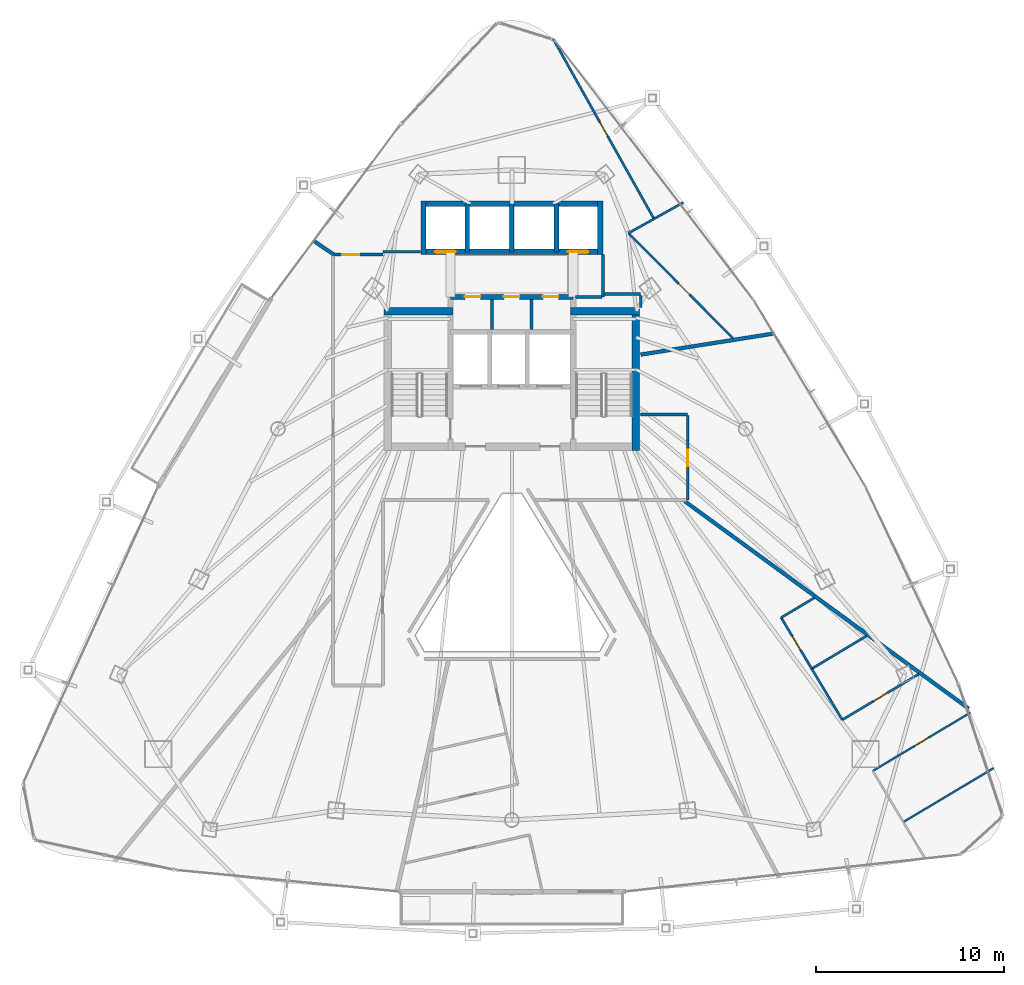
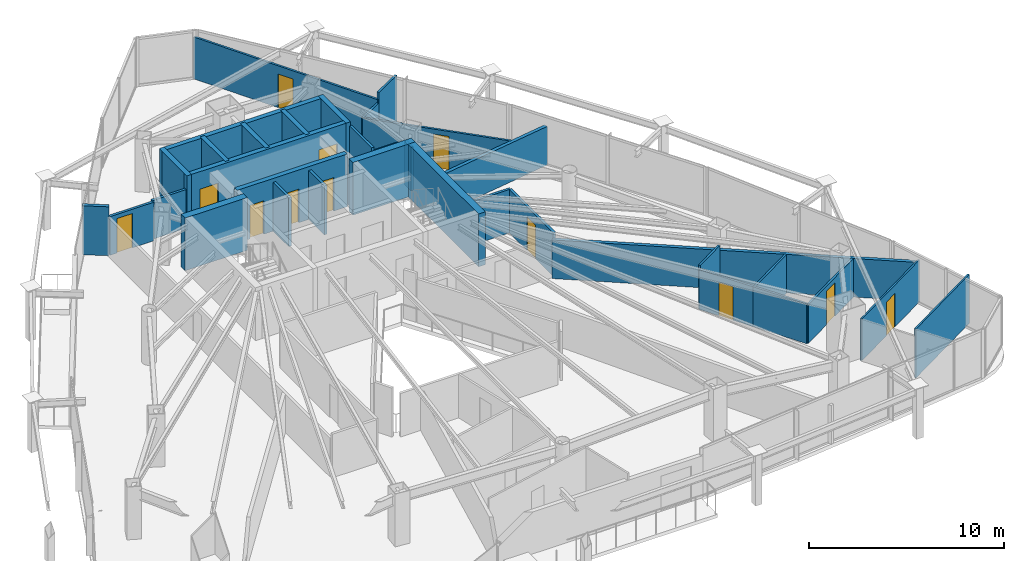
# One storey, part 29 of 33: 35 walls, 12 doors, 12 openings.
"""IFC4 building model written with IfcOpenShell, lengths in metres."""

from ifc_helpers import new_model, si_unit, direction, frame, frame_2d, origin, place, context, subcontext, project, spatial, rectangle, extrude, material, layer, layer_set, type_object, element, fill, save


model = new_model("IFC4")

# Units and contexts
model_context = context("Model", 3, precision=1e-05, world=origin(), true_north=direction((0.0, 1.0)))
body_context = subcontext(model_context, "Body", "Model", "MODEL_VIEW")
ifc_project = project(units=[si_unit("LENGTHUNIT", "METRE"), si_unit("AREAUNIT", "SQUARE_METRE"), si_unit("VOLUMEUNIT", "CUBIC_METRE"), si_unit("PLANEANGLEUNIT", "RADIAN"), si_unit("MASSUNIT", "GRAM", prefix="KILO")], contexts=[model_context])

# Site, building, storey
site_placement = place(None, origin())
site = spatial("IfcSite", under=ifc_project, at=site_placement, CompositionType="ELEMENT")
building_placement = place(site_placement, origin())
building = spatial("IfcBuilding", under=site, at=building_placement, Name="Orvanel Arch Residences", CompositionType="ELEMENT")
storey_placement = place(building_placement, frame((0.0, 0.0, 123.199951171875)))
storey = spatial("IfcBuildingStorey", under=building, at=storey_placement, Name="L34", CompositionType="ELEMENT", Elevation=123.199951171875)

# Walls
ifc_material_1 = material(Name="Concrete N50 (50 MPa)", Category="concrete")
ifc_layer_1 = layer(ifc_material_1, 0.25)
ifc_layer_set_1 = layer_set([ifc_layer_1], Name="Concrete N50 (50 MPa)")
wall_type_1 = type_object("IfcWallType", Name="SW-CORE-250", PredefinedType="SHEAR", material=ifc_layer_set_1)
for number, where, z_axis, x_axis, name in (
    (1, (30.625, 37.050048828125, 0.0), (0.0, 0.0, 1.0), (0.0, 1.0, 0.0), "L34 Passenger Lift Inter-Shaft Wall P35"),
    (2, (33.0, 37.050048828125, 0.0), (0.0, 0.0, 1.0), (0.0, 1.0, 0.0), "L34 Passenger Lift Inter-Shaft Wall P56"),
    (3, (35.375, 37.050048828125, 0.0), (0.0, 0.0, 1.0), (0.0, 1.0, 0.0), "L34 Passenger Lift Inter-Shaft Wall P64"),
):
    element("IfcWall", number, at=place(storey_placement, frame(where, z_axis=z_axis, x_axis=x_axis)), inside=storey, type_object=wall_type_1, Name=name, PredefinedType="SHEAR", context=body_context, shape_type="SweptSolid", body=[
        extrude(rectangle(XDim=2.550048828125, YDim=0.25, at=frame_2d((1.27490234375, 0.0))), origin(), (0.0, 0.0, 1.0), 3.300048828125),
    ])

# Wall, openings, doors
ifc_material_2 = material(Name="Concrete S65 (65 MPa)", Category="concrete")
ifc_layer_2 = layer(ifc_material_2, 0.280029296875)
ifc_layer_set_2 = layer_set([ifc_layer_2], Name="Concrete S65 (65 MPa)")
wall_type_2 = type_object("IfcWallType", Name="SW-CORE-280", PredefinedType="SHEAR", material=ifc_layer_set_2)
wall_1_placement = place(storey_placement, frame((29.739990234375, 34.64990234375, 0.0), z_axis=(0.0, 0.0, 1.0), x_axis=(1.0, 0.0, 0.0)))
wall_1 = element("IfcWall", 4, at=wall_1_placement, inside=storey, type_object=wall_type_2, Name="L34 Core Service Band North Shear Wall", PredefinedType="SHEAR", context=body_context, shape_type="SweptSolid", body=[
    extrude(rectangle(XDim=6.52001953125, YDim=0.280029296875, at=frame_2d((3.260009765625, 0.0))), origin(), (0.0, 0.0, 1.0), 3.300048828125),
])
opening_1_placement = place(wall_1_placement, frame((0.764892578125, 0.0, 0.0)))
opening_1 = element("IfcOpeningElement", 5, at=opening_1_placement, cuts=wall_1, Name="Opening DS-082", PredefinedType="OPENING", context=body_context, shape_type="SweptSolid", body=[
    extrude(rectangle(XDim=0.820068359375, YDim=2.10009765625, at=frame_2d((0.41015625, 1.050048828125))), frame((0.0, 0.14990234375, 0.0), z_axis=(0.0, -1.0, 0.0), x_axis=(1.0, 0.0, 0.0)), (0.0, 0.0, 1.0), 0.300048828125),
])
opening_2_placement = place(wall_1_placement, frame((2.840087890625, 0.0, 0.0)))
opening_2 = element("IfcOpeningElement", 6, at=opening_2_placement, cuts=wall_1, Name="Opening DS-082", PredefinedType="OPENING", context=body_context, shape_type="SweptSolid", body=[
    extrude(rectangle(XDim=0.820068359375, YDim=2.10009765625, at=frame_2d((0.41015625, 1.050048828125))), frame((0.0, 0.14990234375, 0.0), z_axis=(0.0, -1.0, 0.0), x_axis=(1.0, 0.0, 0.0)), (0.0, 0.0, 1.0), 0.300048828125),
])
opening_3_placement = place(wall_1_placement, frame((4.9150390625, 0.0, 0.0)))
opening_3 = element("IfcOpeningElement", 7, at=opening_3_placement, cuts=wall_1, Name="Opening DS-082", PredefinedType="OPENING", context=body_context, shape_type="SweptSolid", body=[
    extrude(rectangle(XDim=0.820068359375, YDim=2.10009765625, at=frame_2d((0.41015625, 1.050048828125))), frame((0.0, 0.14990234375, 0.0), z_axis=(0.0, -1.0, 0.0), x_axis=(1.0, 0.0, 0.0)), (0.0, 0.0, 1.0), 0.300048828125),
])
ifc_material_3 = material(Name="Galvanised steel fire-resisting door assembly", Category="steel")
door_type_1 = type_object("IfcDoorType", Name="DR-SVC-820", OperationType="NOTDEFINED", PredefinedType="DOOR", material=ifc_material_3)
door_1_placement = place(opening_1_placement, origin())
door_1 = element("IfcDoor", 8, at=door_1_placement, inside=storey, type_object=door_type_1, Name="DR-L34-CSVC-1 L34 Housekeeping Store Door", OperationType="SINGLE_SWING_LEFT", OverallHeight=2.10009765625, OverallWidth=0.820068359375, PredefinedType="DOOR", context=body_context, shape_type="SweptSolid", body=[
    extrude(rectangle(XDim=0.820068359375, YDim=2.10009765625, at=frame_2d((0.41015625, 1.050048828125))), frame((0.0, 0.02490234375, 0.0), z_axis=(0.0, -1.0, 0.0), x_axis=(1.0, 0.0, 0.0)), (0.0, 0.0, 1.0), 0.050048828125),
])
fill(opening_1, door_1)
door_2_placement = place(opening_2_placement, origin())
door_2 = element("IfcDoor", 9, at=door_2_placement, inside=storey, type_object=door_type_1, Name="DR-L34-CSVC-2 L34 Cleaner's Store Door", OperationType="SINGLE_SWING_LEFT", OverallHeight=2.10009765625, OverallWidth=0.820068359375, PredefinedType="DOOR", context=body_context, shape_type="SweptSolid", body=[
    extrude(rectangle(XDim=0.820068359375, YDim=2.10009765625, at=frame_2d((0.41015625, 1.050048828125))), frame((0.0, 0.02490234375, 0.0), z_axis=(0.0, -1.0, 0.0), x_axis=(1.0, 0.0, 0.0)), (0.0, 0.0, 1.0), 0.050048828125),
])
fill(opening_2, door_2)
door_3_placement = place(opening_3_placement, origin())
door_3 = element("IfcDoor", 10, at=door_3_placement, inside=storey, type_object=door_type_1, Name="DR-L34-CSVC-3 L34 Comms Riser Store Door", OperationType="SINGLE_SWING_LEFT", OverallHeight=2.10009765625, OverallWidth=0.820068359375, PredefinedType="DOOR", context=body_context, shape_type="SweptSolid", body=[
    extrude(rectangle(XDim=0.820068359375, YDim=2.10009765625, at=frame_2d((0.41015625, 1.050048828125))), frame((0.0, 0.02490234375, 0.0), z_axis=(0.0, -1.0, 0.0), x_axis=(1.0, 0.0, 0.0)), (0.0, 0.0, 1.0), 0.050048828125),
])
fill(opening_3, door_3)

wall_2_placement = place(storey_placement, frame((37.840087890625, 37.050048828125, 0.0), z_axis=(0.0, 0.0, 1.0), x_axis=(-1.0, 0.0, 0.0)))
wall_2 = element("IfcWall", 11, at=wall_2_placement, inside=storey, type_object=wall_type_2, Name="L34 Passenger Lift Bank Front Shear Wall", PredefinedType="SHEAR", context=body_context, shape_type="SweptSolid", body=[
    extrude(rectangle(XDim=9.68017578125, YDim=0.280029296875, at=frame_2d((4.840087890625, 0.0))), origin(), (0.0, 0.0, 1.0), 3.300048828125),
])
opening_4_placement = place(wall_2_placement, frame((7.81494140625, 0.0, 0.0)))
opening_4 = element("IfcOpeningElement", 12, at=opening_4_placement, cuts=wall_2, Name="Opening LD-110", PredefinedType="OPENING", context=body_context, shape_type="SweptSolid", body=[
    extrude(rectangle(XDim=1.10009765625, YDim=2.199951171875, at=frame_2d((0.550048828125, 1.10009765625))), frame((0.0, 0.14990234375, 0.0), z_axis=(0.0, -1.0, 0.0), x_axis=(1.0, 0.0, 0.0)), (0.0, 0.0, 1.0), 0.300048828125),
])
opening_5_placement = place(wall_2_placement, frame((0.764892578125, 0.0, 0.0)))
opening_5 = element("IfcOpeningElement", 13, at=opening_5_placement, cuts=wall_2, Name="Opening LD-110", PredefinedType="OPENING", context=body_context, shape_type="SweptSolid", body=[
    extrude(rectangle(XDim=1.10009765625, YDim=2.199951171875, at=frame_2d((0.550048828125, 1.10009765625))), frame((0.0, 0.14990234375, 0.0), z_axis=(0.0, -1.0, 0.0), x_axis=(1.0, 0.0, 0.0)), (0.0, 0.0, 1.0), 0.300048828125),
])
door_type_2 = type_object("IfcDoorType", Name="DR-LFT-1100", OperationType="NOTDEFINED", PredefinedType="DOOR", material=ifc_material_3)
door_4_placement = place(opening_4_placement, origin())
door_4 = element("IfcDoor", 14, at=door_4_placement, inside=storey, type_object=door_type_2, Name="LD-P3-L34 L34 Passenger Lift P3 Sliding Landing Door", OperationType="DOUBLE_DOOR_SLIDING", OverallHeight=2.199951171875, OverallWidth=1.10009765625, PredefinedType="DOOR", context=body_context, shape_type="SweptSolid", body=[
    extrude(rectangle(XDim=1.10009765625, YDim=2.199951171875, at=frame_2d((0.550048828125, 1.10009765625))), frame((0.0, 0.02490234375, 0.0), z_axis=(0.0, -1.0, 0.0), x_axis=(1.0, 0.0, 0.0)), (0.0, 0.0, 1.0), 0.050048828125),
])
fill(opening_4, door_4)
door_5_placement = place(opening_5_placement, origin())
door_5 = element("IfcDoor", 15, at=door_5_placement, inside=storey, type_object=door_type_2, Name="LD-P4-L34 L34 Passenger Lift P4 Sliding Landing Door", OperationType="DOUBLE_DOOR_SLIDING", OverallHeight=2.199951171875, OverallWidth=1.10009765625, PredefinedType="DOOR", context=body_context, shape_type="SweptSolid", body=[
    extrude(rectangle(XDim=1.10009765625, YDim=2.199951171875, at=frame_2d((0.550048828125, 1.10009765625))), frame((0.0, 0.02490234375, 0.0), z_axis=(0.0, -1.0, 0.0), x_axis=(1.0, 0.0, 0.0)), (0.0, 0.0, 1.0), 0.050048828125),
])
fill(opening_5, door_5)

# Walls
wall_3_placement = place(storey_placement, frame((28.159912109375, 39.60009765625, 0.0), z_axis=(0.0, 0.0, 1.0), x_axis=(1.0, 0.0, 0.0)))
element("IfcWall", 16, at=wall_3_placement, inside=storey, type_object=wall_type_2, Name="L34 Passenger Lift Bank North Shear Wall", PredefinedType="SHEAR", context=body_context, shape_type="SweptSolid", body=[
    extrude(rectangle(XDim=9.68017578125, YDim=0.280029296875, at=frame_2d((4.840087890625, 0.0))), origin(), (0.0, 0.0, 1.0), 3.300048828125),
])
for number, where, z_axis, x_axis, name in (
    (17, (28.300048828125, 36.909912109375, 0.0), (0.0, 0.0, 1.0), (0.0, 1.0, 0.0), "L34 Passenger Lift Bank West Shear Wall"),
    (18, (37.699951171875, 36.909912109375, 0.0), (0.0, 0.0, 1.0), (0.0, 1.0, 0.0), "L34 Passenger Lift Bank East Shear Wall"),
):
    element("IfcWall", number, at=place(storey_placement, frame(where, z_axis=z_axis, x_axis=x_axis)), inside=storey, type_object=wall_type_2, Name=name, PredefinedType="SHEAR", context=body_context, shape_type="SweptSolid", body=[
        extrude(rectangle(XDim=2.830078125, YDim=0.280029296875, at=frame_2d((1.4150390625, 0.0))), origin(), (0.0, 0.0, 1.0), 3.300048828125),
    ])
ifc_layer_3 = layer(ifc_material_2, 0.39990234375)
ifc_layer_set_3 = layer_set([ifc_layer_3], Name="Concrete S65 (65 MPa)")
wall_type_3 = type_object("IfcWallType", Name="SW-CORE-400", PredefinedType="SHEAR", material=ifc_layer_set_3)
wall_4_placement = place(storey_placement, frame((26.199951171875, 33.89990234375, 0.0), z_axis=(0.0, 0.0, 1.0), x_axis=(1.0, 0.0, 0.0)))
element("IfcWall", 19, at=wall_4_placement, inside=storey, type_object=wall_type_3, Name="L34 West Stair North Shear Wall", PredefinedType="SHEAR", context=body_context, shape_type="SweptSolid", body=[
    extrude(rectangle(XDim=3.679931640625, YDim=0.39990234375, at=frame_2d((1.83984375, 0.0))), origin(), (0.0, 0.0, 1.0), 3.300048828125),
])
wall_5_placement = place(storey_placement, frame((39.60009765625, 26.5, 0.0), z_axis=(0.0, 0.0, 1.0), x_axis=(0.0, 1.0, 0.0)))
element("IfcWall", 20, at=wall_5_placement, inside=storey, type_object=wall_type_3, Name="L34 East Stair Shear Wall", PredefinedType="SHEAR", context=body_context, shape_type="SweptSolid", body=[
    extrude(rectangle(XDim=7.60009765625, YDim=0.39990234375, at=frame_2d((3.800048828125, 0.0))), origin(), (0.0, 0.0, 1.0), 3.300048828125),
])
wall_6_placement = place(storey_placement, frame((36.1201171875, 33.89990234375, 0.0), z_axis=(0.0, 0.0, 1.0), x_axis=(1.0, 0.0, 0.0)))
element("IfcWall", 21, at=wall_6_placement, inside=storey, type_object=wall_type_3, Name="L34 East Stair North Shear Wall", PredefinedType="SHEAR", context=body_context, shape_type="SweptSolid", body=[
    extrude(rectangle(XDim=3.679931640625, YDim=0.39990234375, at=frame_2d((1.83984375, 0.0))), origin(), (0.0, 0.0, 1.0), 3.300048828125),
])
ifc_material_4 = material(Name="Fire-rated plasterboard lined steel stud partition", Category="steel")
ifc_layer_4 = layer(ifc_material_4, 0.14990234375)
ifc_layer_set_4 = layer_set([ifc_layer_4], Name="Fire-rated plasterboard lined steel stud partition")
wall_type_4 = type_object("IfcWallType", Name="W-COR-150", PredefinedType="PARTITIONING", material=ifc_layer_set_4)
wall_7_placement = place(storey_placement, frame((37.85009765625, 34.64990234375, 0.0), z_axis=(0.0, 0.0, 1.0), x_axis=(0.0, 1.0, 0.0)))
element("IfcWall", 22, at=wall_7_placement, inside=storey, type_object=wall_type_4, Name="L34 Passenger Lift Lobby East Closure Wall", PredefinedType="PARTITIONING", context=body_context, shape_type="SweptSolid", body=[
    extrude(rectangle(XDim=2.260009765625, YDim=0.14990234375, at=frame_2d((1.1298828125, 0.0))), origin(), (0.0, 0.0, 1.0), 3.06005859375),
])
wall_8_placement = place(storey_placement, frame((36.385009765625, 34.64990234375, 0.0), z_axis=(0.0, 0.0, 1.0), x_axis=(1.0, 0.0, 0.0)))
element("IfcWall", 23, at=wall_8_placement, inside=storey, type_object=wall_type_4, Name="L34 Passenger Lift Lobby South-East Wall", PredefinedType="PARTITIONING", context=body_context, shape_type="SweptSolid", body=[
    extrude(rectangle(XDim=1.405029296875, YDim=0.14990234375, at=frame_2d((0.70263671875, 0.0))), origin(), (0.0, 0.0, 1.0), 2.425048828125),
])

# Wall, opening, door
wall_9_placement = place(storey_placement, frame((23.56005859375, 36.89990234375, 0.0), z_axis=(0.0, 0.0, 1.0), x_axis=(1.0, 0.0, 0.0)))
wall_9 = element("IfcWall", 24, at=wall_9_placement, inside=storey, type_object=wall_type_4, Name="L34 Corridor Fire-Rated Partition", PredefinedType="PARTITIONING", context=body_context, shape_type="SweptSolid", body=[
    extrude(rectangle(XDim=2.58984375, YDim=0.14990234375, at=frame_2d((1.294921875, 0.0))), origin(), (0.0, 0.0, 1.0), 2.4130859375),
])
opening_6_placement = place(wall_9_placement, frame((0.4140625, 0.0, 0.0)))
opening_6 = element("IfcOpeningElement", 25, at=opening_6_placement, cuts=wall_9, Name="Opening DA-092", PredefinedType="OPENING", context=body_context, shape_type="SweptSolid", body=[
    extrude(rectangle(XDim=0.919921875, YDim=2.14990234375, at=frame_2d((0.4599609375, 1.074951171875))), frame((0.0, 0.0849609375, 0.0), z_axis=(0.0, -1.0, 0.0), x_axis=(1.0, 0.0, 0.0)), (0.0, 0.0, 1.0), 0.169921875),
])
ifc_material_5 = material(Name="Solid-core European oak veneer fire door leaf", Category="wood")
door_type_3 = type_object("IfcDoorType", Name="DR-APT-920", OperationType="NOTDEFINED", PredefinedType="DOOR", material=ifc_material_5)
door_6_placement = place(opening_6_placement, origin())
door_6 = element("IfcDoor", 26, at=door_6_placement, inside=storey, type_object=door_type_3, Name="DR-L34-E-ENT L34 Studio E Entrance Door", OperationType="SINGLE_SWING_RIGHT", OverallHeight=2.14990234375, OverallWidth=0.919921875, PredefinedType="DOOR", context=body_context, shape_type="SweptSolid", body=[
    extrude(rectangle(XDim=0.919921875, YDim=2.14990234375, at=frame_2d((0.4599609375, 1.074951171875))), frame((0.0, 0.02490234375, 0.0), z_axis=(0.0, -1.0, 0.0), x_axis=(1.0, 0.0, 0.0)), (0.0, 0.0, 1.0), 0.050048828125),
])
fill(opening_6, door_6)

# Wall
wall_10_placement = place(storey_placement, frame((39.85009765625, 28.39990234375, 0.0), z_axis=(0.0, 0.0, 1.0), x_axis=(1.0, 0.0, 0.0)))
element("IfcWall", 27, at=wall_10_placement, inside=storey, type_object=wall_type_4, Name="L34 Corridor Fire-Rated Partition", PredefinedType="PARTITIONING", context=body_context, shape_type="SweptSolid", body=[
    extrude(rectangle(XDim=2.5, YDim=0.14990234375, at=frame_2d((1.25, 0.0))), origin(), (0.0, 0.0, 1.0), 2.720947265625),
])

# Wall, opening, door
wall_11_placement = place(storey_placement, frame((42.35009765625, 28.340087890625, 0.0), z_axis=(0.0, 0.0, 1.0), x_axis=(0.0, -1.0, 0.0)))
wall_11 = element("IfcWall", 28, at=wall_11_placement, inside=storey, type_object=wall_type_4, Name="L34 Corridor Fire-Rated Partition", PredefinedType="PARTITIONING", context=body_context, shape_type="SweptSolid", body=[
    extrude(rectangle(XDim=4.489990234375, YDim=0.14990234375, at=frame_2d((2.2451171875, 0.0))), origin(), (0.0, 0.0, 1.0), 2.720947265625),
])
opening_7_placement = place(wall_11_placement, frame((1.804931640625, 0.0, 0.0)))
opening_7 = element("IfcOpeningElement", 29, at=opening_7_placement, cuts=wall_11, Name="Opening DI-088", PredefinedType="OPENING", context=body_context, shape_type="SweptSolid", body=[
    extrude(rectangle(XDim=0.8798828125, YDim=2.10009765625, at=frame_2d((0.43994140625, 1.050048828125))), frame((0.0, 0.0849609375, 0.0), z_axis=(0.0, -1.0, 0.0), x_axis=(1.0, 0.0, 0.0)), (0.0, 0.0, 1.0), 0.169921875),
])
door_type_4 = type_object("IfcDoorType", Name="DR-INT-880", OperationType="NOTDEFINED", PredefinedType="DOOR", material=ifc_material_5)
door_7_placement = place(opening_7_placement, origin())
door_7 = element("IfcDoor", 30, at=door_7_placement, inside=storey, type_object=door_type_4, Name="DR-L34-SHRD-FB6 L34 Co-Working Study Office F Door", OperationType="SINGLE_SWING_LEFT", OverallHeight=2.10009765625, OverallWidth=0.8798828125, PredefinedType="DOOR", context=body_context, shape_type="SweptSolid", body=[
    extrude(rectangle(XDim=0.8798828125, YDim=2.10009765625, at=frame_2d((0.43994140625, 1.050048828125))), frame((0.0, 0.02490234375, 0.0), z_axis=(0.0, -1.0, 0.0), x_axis=(1.0, 0.0, 0.0)), (0.0, 0.0, 1.0), 0.050048828125),
])
fill(opening_7, door_7)

# Walls
wall_12_placement = place(storey_placement, frame((26.14990234375, 37.050048828125, 0.0), z_axis=(0.0, 0.0, 1.0), x_axis=(1.0, 0.0, 0.0)))
element("IfcWall", 31, at=wall_12_placement, inside=storey, type_object=wall_type_4, Name="L34 Core Perimeter Partition", PredefinedType="PARTITIONING", context=body_context, shape_type="SweptSolid", body=[
    extrude(rectangle(XDim=2.0, YDim=0.14990234375, at=frame_2d((1.0, 0.0))), origin(), (0.0, 0.0, 1.0), 2.4130859375),
])
wall_13_placement = place(storey_placement, frame((37.909912109375, 34.800048828125, 0.0), z_axis=(0.0, 0.0, 1.0), x_axis=(1.0, 0.0, 0.0)))
element("IfcWall", 32, at=wall_13_placement, inside=storey, type_object=wall_type_4, Name="L34 Core Perimeter Partition", PredefinedType="PARTITIONING", context=body_context, shape_type="SweptSolid", body=[
    extrude(rectangle(XDim=1.940185546875, YDim=0.14990234375, at=frame_2d((0.97021484375, 0.0))), origin(), (0.0, 0.0, 1.0), 2.720947265625),
])
wall_14_placement = place(storey_placement, frame((39.85009765625, 34.739990234375, 0.0), z_axis=(0.0, 0.0, 1.0), x_axis=(0.0, -1.0, 0.0)))
element("IfcWall", 33, at=wall_14_placement, inside=storey, type_object=wall_type_4, Name="L34 Core Perimeter Partition", PredefinedType="PARTITIONING", context=body_context, shape_type="SweptSolid", body=[
    extrude(rectangle(XDim=0.639892578125, YDim=0.14990234375, at=frame_2d((0.31982421875, 0.0))), origin(), (0.0, 0.0, 1.0), 2.720947265625),
])
ifc_layer_5 = layer(ifc_material_4, 0.199951171875)
ifc_layer_set_5 = layer_set([ifc_layer_5], Name="Fire-rated plasterboard lined steel stud partition")
wall_type_5 = type_object("IfcWallType", Name="W-DEM-200", PredefinedType="PARTITIONING", material=ifc_layer_set_5)
wall_15_placement = place(storey_placement, frame((22.424072265625, 37.659912109375, 0.0), z_axis=(0.0, 0.0, 1.0), x_axis=(0.82818018374, -0.560461937388, 0.0)))
element("IfcWall", 34, at=wall_15_placement, inside=storey, type_object=wall_type_5, Name="L34 Inter-Tenancy Acoustic Demising Wall", PredefinedType="PARTITIONING", context=body_context, shape_type="SweptSolid", body=[
    extrude(rectangle(XDim=1.35595703125, YDim=0.199951171875, at=frame_2d((0.677978515625, 0.0))), origin(), (0.0, 0.0, 1.0), 3.06005859375),
])
wall_16_placement = place(storey_placement, frame((42.19189453125, 23.7900390625, 0.0), z_axis=(0.0, 0.0, 1.0), x_axis=(0.807710254014, -0.589579634621, 0.0)))
element("IfcWall", 35, at=wall_16_placement, inside=storey, type_object=wall_type_5, Name="L34 Inter-Tenancy Acoustic Demising Wall", PredefinedType="PARTITIONING", context=body_context, shape_type="SweptSolid", body=[
    extrude(rectangle(XDim=18.69140625, YDim=0.199951171875, at=frame_2d((9.345703125, 0.0))), origin(), (0.0, 0.0, 1.0), 2.4130859375),
])
wall_17_placement = place(storey_placement, frame((46.97607421875, 32.714111328125, 0.0), z_axis=(0.0, 0.0, 1.0), x_axis=(-0.987677489662, -0.156502959767, 0.0)))
element("IfcWall", 36, at=wall_17_placement, inside=storey, type_object=wall_type_5, Name="L34 Inter-Tenancy Acoustic Demising Wall", PredefinedType="PARTITIONING", context=body_context, shape_type="SweptSolid", body=[
    extrude(rectangle(XDim=7.21484375, YDim=0.199951171875, at=frame_2d((3.607421875, 0.0))), origin(), (0.0, 0.0, 1.0), 2.4130859375),
])

# Wall, opening, door
ifc_material_6 = material(Name="Acoustic plasterboard lined twin-stud partition", Category="gypsum")
ifc_layer_6 = layer(ifc_material_6, 0.10009765625)
ifc_layer_set_6 = layer_set([ifc_layer_6], Name="Acoustic plasterboard lined twin-stud partition")
wall_type_6 = type_object("IfcWallType", Name="W-INT-100", PredefinedType="PARTITIONING", material=ifc_layer_set_6)
wall_18_placement = place(storey_placement, frame((57.373046875, 12.553955078125, 0.0), z_axis=(0.0, 0.0, 1.0), x_axis=(-0.858379637305, -0.513015007831, 0.0)))
wall_18 = element("IfcWall", 37, at=wall_18_placement, inside=storey, type_object=wall_type_6, Name="L34 Flat B Internal Partition", PredefinedType="PARTITIONING", context=body_context, shape_type="SweptSolid", body=[
    extrude(rectangle(XDim=6.04052734375, YDim=0.10009765625, at=frame_2d((3.020263671875, 0.0))), origin(), (0.0, 0.0, 1.0), 2.619140625),
])
opening_8_placement = place(wall_18_placement, frame((2.580078125, 0.0, 0.0)))
opening_8 = element("IfcOpeningElement", 38, at=opening_8_placement, cuts=wall_18, Name="Opening DI-088", PredefinedType="OPENING", context=body_context, shape_type="SweptSolid", body=[
    extrude(rectangle(XDim=0.8798828125, YDim=2.10009765625, at=frame_2d((0.43994140625, 1.050048828125))), frame((0.0, 0.06005859375, 0.0), z_axis=(0.0, -1.0, 0.0), x_axis=(1.0, 0.0, 0.0)), (0.0, 0.0, 1.0), 0.1201171875),
])
door_8_placement = place(opening_8_placement, origin())
door_8 = element("IfcDoor", 39, at=door_8_placement, inside=storey, type_object=door_type_4, Name="DR-L34-B-BED1 L34 Flat B Bedroom 1 Door", OperationType="SINGLE_SWING_LEFT", OverallHeight=2.10009765625, OverallWidth=0.8798828125, PredefinedType="DOOR", context=body_context, shape_type="SweptSolid", body=[
    extrude(rectangle(XDim=0.8798828125, YDim=2.10009765625, at=frame_2d((0.43994140625, 1.050048828125))), frame((0.0, 0.02490234375, 0.0), z_axis=(0.0, -1.0, 0.0), x_axis=(1.0, 0.0, 0.0)), (0.0, 0.0, 1.0), 0.050048828125),
])
fill(opening_8, door_8)

# Walls
wall_19_placement = place(storey_placement, frame((58.616943359375, 9.610107421875, 0.0), z_axis=(0.0, 0.0, 1.0), x_axis=(-0.858472602363, -0.512859426151, 0.0)))
element("IfcWall", 40, at=wall_19_placement, inside=storey, type_object=wall_type_6, Name="L34 Flat B Internal Partition", PredefinedType="PARTITIONING", context=body_context, shape_type="SweptSolid", body=[
    extrude(rectangle(XDim=5.59814453125, YDim=0.10009765625, at=frame_2d((2.799072265625, 0.0))), origin(), (0.0, 0.0, 1.0), 3.06005859375),
])
ifc_layer_7 = layer(ifc_material_4, 0.14990234375)
ifc_layer_set_7 = layer_set([ifc_layer_7], Name="Fire-rated plasterboard lined steel stud partition")
wall_type_7 = type_object("IfcWallType", Name="W-ST-150", PredefinedType="PARTITIONING", material=ifc_layer_set_7)
for number, where, z_axis, x_axis, name in (
    (41, (31.949951171875, 32.9150390625, 0.0), (0.0, 0.0, 1.0), (0.0, 1.0, 0.0), "L34 Core Service Partition 1"),
    (42, (34.050048828125, 32.9150390625, 0.0), (0.0, 0.0, 1.0), (0.0, 1.0, 0.0), "L34 Core Service Partition 2"),
):
    element("IfcWall", number, at=place(storey_placement, frame(where, z_axis=z_axis, x_axis=x_axis)), inside=storey, type_object=wall_type_7, Name=name, PredefinedType="PARTITIONING", context=body_context, shape_type="SweptSolid", body=[
        extrude(rectangle(XDim=1.60986328125, YDim=0.14990234375, at=frame_2d((0.804931640625, 0.0))), origin(), (0.0, 0.0, 1.0), 3.06005859375),
    ])
ifc_layer_8 = layer(ifc_material_6, 0.1201171875)
ifc_layer_set_8 = layer_set([ifc_layer_8], Name="Acoustic plasterboard lined twin-stud partition")
wall_type_8 = type_object("IfcWallType", Name="W-WET-120", PredefinedType="PARTITIONING", material=ifc_layer_set_8)
wall_20_placement = place(storey_placement, frame((49.080078125, 18.656982421875, 0.0), z_axis=(0.0, 0.0, 1.0), x_axis=(-0.858394155401, -0.51299071529, 0.0)))
element("IfcWall", 43, at=wall_20_placement, inside=storey, type_object=wall_type_8, Name="L34 Flat B Bathroom Partition", PredefinedType="PARTITIONING", context=body_context, shape_type="SweptSolid", body=[
    extrude(rectangle(XDim=2.052734375, YDim=0.1201171875, at=frame_2d((1.0263671875, 0.0))), origin(), (0.0, 0.0, 1.0), 2.720947265625),
])

# Wall, opening, door
wall_21_placement = place(storey_placement, frame((47.318115234375, 17.60400390625, 0.0), z_axis=(0.0, 0.0, 1.0), x_axis=(0.51313361254, -0.858308741469, 0.0)))
wall_21 = element("IfcWall", 44, at=wall_21_placement, inside=storey, type_object=wall_type_8, Name="L34 Flat B Bathroom Partition", PredefinedType="PARTITIONING", context=body_context, shape_type="SweptSolid", body=[
    extrude(rectangle(XDim=3.16455078125, YDim=0.1201171875, at=frame_2d((1.582275390625, 0.0))), origin(), (0.0, 0.0, 1.0), 2.491943359375),
])
opening_9_placement = place(wall_21_placement, frame((1.172119140625, 0.0, 0.0)))
opening_9 = element("IfcOpeningElement", 45, at=opening_9_placement, cuts=wall_21, Name="Opening DW-082", PredefinedType="OPENING", context=body_context, shape_type="SweptSolid", body=[
    extrude(rectangle(XDim=0.820068359375, YDim=2.10009765625, at=frame_2d((0.41015625, 1.050048828125))), frame((0.0, 0.070068359375, 0.0), z_axis=(0.0, -1.0, 0.0), x_axis=(1.0, 0.0, 0.0)), (0.0, 0.0, 1.0), 0.14013671875),
])
door_type_5 = type_object("IfcDoorType", Name="DR-WET-820", OperationType="NOTDEFINED", PredefinedType="DOOR", material=ifc_material_5)
door_9_placement = place(opening_9_placement, origin())
door_9 = element("IfcDoor", 46, at=door_9_placement, inside=storey, type_object=door_type_5, Name="DR-L34-B-BATH L34 Flat B Bathroom Door", OperationType="SINGLE_SWING_RIGHT", OverallHeight=2.10009765625, OverallWidth=0.820068359375, PredefinedType="DOOR", context=body_context, shape_type="SweptSolid", body=[
    extrude(rectangle(XDim=0.820068359375, YDim=2.10009765625, at=frame_2d((0.41015625, 1.050048828125))), frame((0.0, 0.02490234375, 0.0), z_axis=(0.0, -1.0, 0.0), x_axis=(1.0, 0.0, 0.0)), (0.0, 0.0, 1.0), 0.050048828125),
])
fill(opening_9, door_9)

# Wall
wall_22_placement = place(storey_placement, frame((48.94189453125, 14.887939453125, 0.0), z_axis=(0.0, 0.0, 1.0), x_axis=(0.512997049548, -0.858390369911, 0.0)))
element("IfcWall", 47, at=wall_22_placement, inside=storey, type_object=wall_type_8, Name="L34 Flat B Internal Partition", PredefinedType="PARTITIONING", context=body_context, shape_type="SweptSolid", body=[
    extrude(rectangle(XDim=3.163818359375, YDim=0.1201171875, at=frame_2d((1.58203125, 0.0))), origin(), (0.0, 0.0, 1.0), 2.491943359375),
])

# Wall, opening, door
wall_23_placement = place(storey_placement, frame((50.56494140625, 12.172119140625, 0.0), z_axis=(0.0, 0.0, 1.0), x_axis=(0.858473034369, 0.512858703018, 0.0)))
wall_23 = element("IfcWall", 48, at=wall_23_placement, inside=storey, type_object=wall_type_8, Name="L34 Flat B Internal Partition", PredefinedType="PARTITIONING", context=body_context, shape_type="SweptSolid", body=[
    extrude(rectangle(XDim=4.739990234375, YDim=0.1201171875, at=frame_2d((2.3701171875, 0.0))), origin(), (0.0, 0.0, 1.0), 2.4130859375),
])
opening_10_placement = place(wall_23_placement, frame((1.929931640625, 0.0, 0.0)))
opening_10 = element("IfcOpeningElement", 49, at=opening_10_placement, cuts=wall_23, Name="Opening DI-088", PredefinedType="OPENING", context=body_context, shape_type="SweptSolid", body=[
    extrude(rectangle(XDim=0.8798828125, YDim=2.10009765625, at=frame_2d((0.43994140625, 1.050048828125))), frame((0.0, 0.070068359375, 0.0), z_axis=(0.0, -1.0, 0.0), x_axis=(1.0, 0.0, 0.0)), (0.0, 0.0, 1.0), 0.14013671875),
])
door_10_placement = place(opening_10_placement, origin())
door_10 = element("IfcDoor", 50, at=door_10_placement, inside=storey, type_object=door_type_4, Name="DR-L34-B-KIT L34 Flat B Kitchen Door", OperationType="SINGLE_SWING_LEFT", OverallHeight=2.10009765625, OverallWidth=0.8798828125, PredefinedType="DOOR", context=body_context, shape_type="SweptSolid", body=[
    extrude(rectangle(XDim=0.8798828125, YDim=2.10009765625, at=frame_2d((0.43994140625, 1.050048828125))), frame((0.0, 0.02490234375, 0.0), z_axis=(0.0, -1.0, 0.0), x_axis=(1.0, 0.0, 0.0)), (0.0, 0.0, 1.0), 0.050048828125),
])
fill(opening_10, door_10)

# Walls
wall_24_placement = place(storey_placement, frame((51.85693359375, 16.6298828125, 0.0), z_axis=(0.0, 0.0, 1.0), x_axis=(-0.858411372428, -0.512961904713, 0.0)))
element("IfcWall", 51, at=wall_24_placement, inside=storey, type_object=wall_type_8, Name="L34 Flat B Bathroom Partition", PredefinedType="PARTITIONING", context=body_context, shape_type="SweptSolid", body=[
    extrude(rectangle(XDim=3.395751953125, YDim=0.1201171875, at=frame_2d((1.69775390625, 0.0))), origin(), (0.0, 0.0, 1.0), 2.4130859375),
])
wall_25_placement = place(storey_placement, frame((40.556884765625, 38.800048828125, 0.0), z_axis=(0.0, 0.0, 1.0), x_axis=(-0.872825188639, -0.488032980521, 0.0)))
element("IfcWall", 52, at=wall_25_placement, inside=storey, type_object=wall_type_8, Name="L34 Studio E Bathroom Partition", PredefinedType="PARTITIONING", context=body_context, shape_type="SweptSolid", body=[
    extrude(rectangle(XDim=1.55126953125, YDim=0.1201171875, at=frame_2d((0.775634765625, 0.0))), origin(), (0.0, 0.0, 1.0), 2.4130859375),
])

# Wall, opening, door
wall_26_placement = place(storey_placement, frame((39.202880859375, 38.04296875, 0.0), z_axis=(0.0, 0.0, 1.0), x_axis=(0.704889894519, -0.709316739267, 0.0)))
wall_26 = element("IfcWall", 53, at=wall_26_placement, inside=storey, type_object=wall_type_8, Name="L34 Studio E Bathroom Partition", PredefinedType="PARTITIONING", context=body_context, shape_type="SweptSolid", body=[
    extrude(rectangle(XDim=7.886474609375, YDim=0.1201171875, at=frame_2d((3.943359375, 0.0))), origin(), (0.0, 0.0, 1.0), 2.4130859375),
])
opening_11_placement = place(wall_26_placement, frame((3.780029296875, 0.0, 0.0)))
opening_11 = element("IfcOpeningElement", 54, at=opening_11_placement, cuts=wall_26, Name="Opening DW-082", PredefinedType="OPENING", context=body_context, shape_type="SweptSolid", body=[
    extrude(rectangle(XDim=0.820068359375, YDim=2.10009765625, at=frame_2d((0.41015625, 1.050048828125))), frame((0.0, 0.070068359375, 0.0), z_axis=(0.0, -1.0, 0.0), x_axis=(1.0, 0.0, 0.0)), (0.0, 0.0, 1.0), 0.14013671875),
])
door_11_placement = place(opening_11_placement, origin())
door_11 = element("IfcDoor", 55, at=door_11_placement, inside=storey, type_object=door_type_5, Name="DR-L34-E-BATH L34 Studio E Bathroom Door", OperationType="SINGLE_SWING_RIGHT", OverallHeight=2.10009765625, OverallWidth=0.820068359375, PredefinedType="DOOR", context=body_context, shape_type="SweptSolid", body=[
    extrude(rectangle(XDim=0.820068359375, YDim=2.10009765625, at=frame_2d((0.41015625, 1.050048828125))), frame((0.0, 0.02490234375, 0.0), z_axis=(0.0, -1.0, 0.0), x_axis=(1.0, 0.0, 0.0)), (0.0, 0.0, 1.0), 0.050048828125),
])
fill(opening_11, door_11)

wall_27_placement = place(storey_placement, frame((35.205078125, 48.35693359375, 0.0), z_axis=(0.0, 0.0, 1.0), x_axis=(0.488599975334, -0.872507916356, 0.0)))
wall_27 = element("IfcWall", 56, at=wall_27_placement, inside=storey, type_object=wall_type_8, Name="L34 Studio E Internal Partition", PredefinedType="PARTITIONING", context=body_context, shape_type="SweptSolid", body=[
    extrude(rectangle(XDim=10.953369140625, YDim=0.1201171875, at=frame_2d((5.4765625, 0.0))), origin(), (0.0, 0.0, 1.0), 2.619140625),
])
opening_12_placement = place(wall_27_placement, frame((5.037109375, 0.0, 0.0)))
opening_12 = element("IfcOpeningElement", 57, at=opening_12_placement, cuts=wall_27, Name="Opening DI-088", PredefinedType="OPENING", context=body_context, shape_type="SweptSolid", body=[
    extrude(rectangle(XDim=0.8798828125, YDim=2.10009765625, at=frame_2d((0.43994140625, 1.050048828125))), frame((0.0, 0.070068359375, 0.0), z_axis=(0.0, -1.0, 0.0), x_axis=(1.0, 0.0, 0.0)), (0.0, 0.0, 1.0), 0.14013671875),
])
door_12_placement = place(opening_12_placement, origin())
door_12 = element("IfcDoor", 58, at=door_12_placement, inside=storey, type_object=door_type_4, Name="DR-L34-E-KIT L34 Studio E Kitchenette Door", OperationType="SINGLE_SWING_LEFT", OverallHeight=2.10009765625, OverallWidth=0.8798828125, PredefinedType="DOOR", context=body_context, shape_type="SweptSolid", body=[
    extrude(rectangle(XDim=0.8798828125, YDim=2.10009765625, at=frame_2d((0.43994140625, 1.050048828125))), frame((0.0, 0.02490234375, 0.0), z_axis=(0.0, -1.0, 0.0), x_axis=(1.0, 0.0, 0.0)), (0.0, 0.0, 1.0), 0.050048828125),
])
fill(opening_12, door_12)

# Wall
wall_28_placement = place(storey_placement, frame((40.556884765625, 38.801025390625, 0.0), z_axis=(0.0, 0.0, 1.0), x_axis=(0.872620527381, 0.488398828002, 0.0)))
element("IfcWall", 59, at=wall_28_placement, inside=storey, type_object=wall_type_8, Name="L34 Studio E Bathroom Partition", PredefinedType="PARTITIONING", context=body_context, shape_type="SweptSolid", body=[
    extrude(rectangle(XDim=1.781005859375, YDim=0.1201171875, at=frame_2d((0.890625, 0.0))), origin(), (0.0, 0.0, 1.0), 3.06005859375),
])

save(model, "model.ifc")
